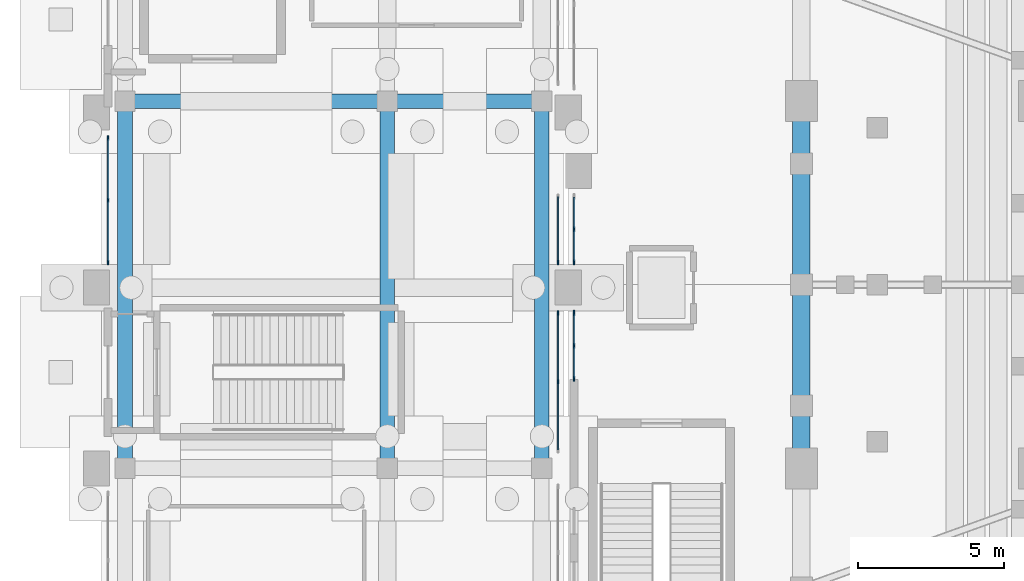
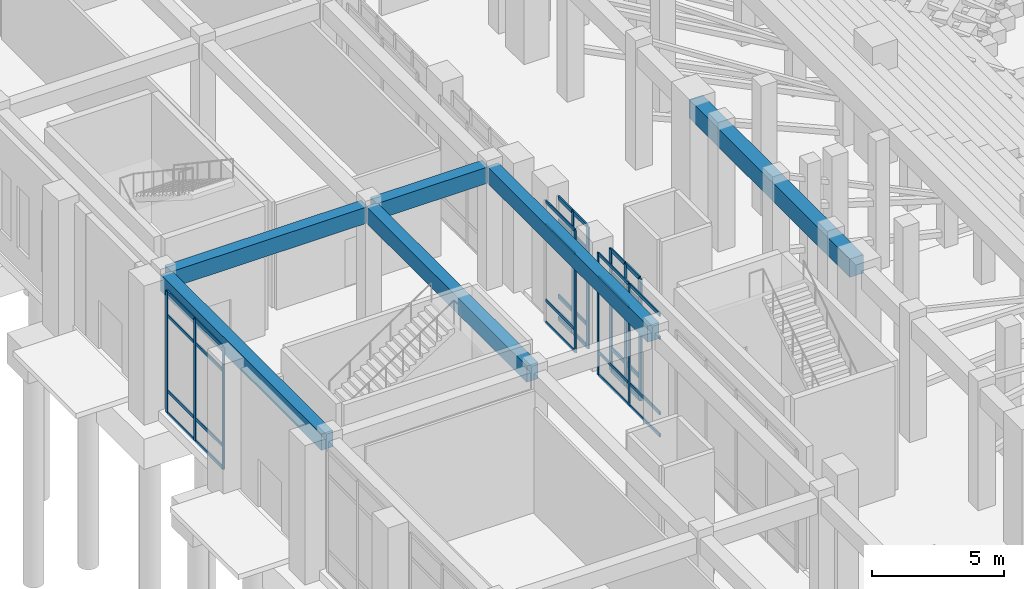
# One storey, part 40 of 143: 47 members, 6 beams, 5 elements without a shape of their own.
"""IFC4 building model written with IfcOpenShell, lengths in metres."""

from ifc_helpers import new_model, si_unit, derived_unit, direction, frame, origin, origin_2d, place, context, subcontext, project, spatial, rectangle, extrude, material, layer, layer_set, material_profile, profile_set, type_object, element, aggregate, save


model = new_model("IFC4")

# Units and contexts
model_context = context("Model", 3, precision=1e-05, world=origin(), true_north=direction((0.0, 1.0)))
body_context = subcontext(model_context, "Body", "Model", "MODEL_VIEW")
ifc_project = project(units=[si_unit("LENGTHUNIT", "METRE"), si_unit("AREAUNIT", "SQUARE_METRE"), si_unit("VOLUMEUNIT", "CUBIC_METRE"), si_unit("PLANEANGLEUNIT", "RADIAN"), si_unit("MASSUNIT", "GRAM", prefix="KILO"), derived_unit("THERMALTRANSMITTANCEUNIT", [(si_unit("MASSUNIT", "GRAM", prefix="KILO"), 1), (si_unit("TIMEUNIT", "SECOND"), -3), (si_unit("THERMODYNAMICTEMPERATUREUNIT", "KELVIN"), -1)])], contexts=[model_context])

# Site, building, storey
site_placement = place(None, origin())
site = spatial("IfcSite", under=ifc_project, at=site_placement, CompositionType="ELEMENT")
building_placement = place(site_placement, origin())
building = spatial("IfcBuilding", under=site, at=building_placement, Name="Valcora Ridge Arena", CompositionType="ELEMENT")
storey_placement = place(building_placement, origin())
storey = spatial("IfcBuildingStorey", under=building, at=storey_placement, Name="L00", CompositionType="ELEMENT", Elevation=0.0)

# Beams
ifc_material_1 = material(Name="Concrete C40/50", Category="concrete")
ifc_material_profile_1 = material_profile(ifc_material_1, rectangle(XDim=0.5, YDim=0.75, at=origin_2d()), Name="RC 500x750")
ifc_profile_set_1 = profile_set([ifc_material_profile_1], Name="Concrete C40/50")
beam_type_1 = type_object("IfcBeamType", Name="TY-BEAM-B-RC500-X", PredefinedType="BEAM", material=ifc_profile_set_1)
beam_1_placement = place(storey_placement, frame((1.0, 70.39990234375, 5.264892578125), z_axis=(1.0, 0.0, 0.0), x_axis=(0.0, 1.0, 0.0)))
element("IfcBeam", 1, at=beam_1_placement, inside=storey, type_object=beam_type_1, Name="B-RC500-X BEM-B-RC500-X-0023", PredefinedType="BEAM", context=body_context, shape_type="SweptSolid", body=[
    extrude(rectangle(XDim=0.5, YDim=0.75, at=origin_2d()), origin(), (0.0, 0.0, 1.0), 8.60009765625),
])
beam_2_placement = place(storey_placement, frame((10.0, 70.39990234375, 5.264892578125), z_axis=(1.0, 0.0, 0.0), x_axis=(0.0, 1.0, 0.0)))
element("IfcBeam", 2, at=beam_2_placement, inside=storey, type_object=beam_type_1, Name="B-RC500-X BEM-B-RC500-X-0024", PredefinedType="BEAM", context=body_context, shape_type="SweptSolid", body=[
    extrude(rectangle(XDim=0.5, YDim=0.75, at=origin_2d()), origin(), (0.0, 0.0, 1.0), 4.89990234375),
])
ifc_material_profile_2 = material_profile(ifc_material_1, rectangle(XDim=0.5, YDim=0.75, at=origin_2d()), Name="RC 500x750")
ifc_profile_set_2 = profile_set([ifc_material_profile_2], Name="Concrete C40/50")
beam_type_2 = type_object("IfcBeamType", Name="TY-BEAM-B-RC500-Y", PredefinedType="BEAM", material=ifc_profile_set_2)
for number, where, z_axis, x_axis, name in (
    (3, (0.800048828125, 58.0, 5.264892578125), (0.0, 1.0, 0.0), (-1.0, 0.0, 0.0), "B-RC500-Y BEM-B-RC500-Y-0006"),
    (4, (9.800048828125, 58.0, 5.264892578125), (0.0, 1.0, 0.0), (-1.0, 0.0, 0.0), "B-RC500-Y BEM-B-RC500-Y-0014"),
    (5, (15.10009765625, 58.0, 5.264892578125), (0.0, 1.0, 0.0), (-1.0, 0.0, 0.0), "B-RC500-Y BEM-B-RC500-Y-0021"),
):
    element("IfcBeam", number, at=place(storey_placement, frame(where, z_axis=z_axis, x_axis=x_axis)), inside=storey, type_object=beam_type_2, Name=name, PredefinedType="BEAM", context=body_context, shape_type="SweptSolid", body=[
        extrude(rectangle(XDim=0.5, YDim=0.75, at=origin_2d()), origin(), (0.0, 0.0, 1.0), 12.199951171875),
    ])
ifc_material_profile_3 = material_profile(ifc_material_1, rectangle(XDim=0.60009765625, YDim=0.85009765625, at=origin_2d()), Name="RC 600x850")
ifc_profile_set_3 = profile_set([ifc_material_profile_3], Name="Concrete C40/50")
beam_type_3 = type_object("IfcBeamType", Name="TY-BEAM-B-RC600-Y", PredefinedType="BEAM", material=ifc_profile_set_3)
beam_3_placement = place(storey_placement, frame((24.0, 58.0, 5.215087890625), z_axis=(0.0, 1.0, 0.0), x_axis=(-1.0, 0.0, 0.0)))
element("IfcBeam", 6, at=beam_3_placement, inside=storey, type_object=beam_type_3, Name="B-RC600-Y BEM-B-RC600-Y-0003", PredefinedType="BEAM", context=body_context, shape_type="SweptSolid", body=[
    extrude(rectangle(XDim=0.60009765625, YDim=0.85009765625, at=origin_2d()), origin(), (0.0, 0.0, 1.0), 12.199951171875),
])

# Curtain wall, members
ifc_material_2 = material(Name="Anodised dark bronze architectural aluminium 6063-T6", Category="aluminium")
ifc_layer_1 = layer(ifc_material_2, 0.14990234375, Name="Anodised dark bronze architectural aluminium 6063-T6")
ifc_layer_set_1 = layer_set([ifc_layer_1], Name="Anodised dark bronze architectural aluminium 6063-T6")
curtain_wall_type_1 = type_object("IfcCurtainWallType", Name="TY-CURTAINWALL-CW-V4-CLUB-043X56", PredefinedType="NOTDEFINED", material=ifc_layer_set_1)
curtain_wall_1_placement = place(storey_placement, origin())
curtain_wall_1 = element("IfcCurtainWall", 7, at=curtain_wall_1_placement, inside=storey, type_object=curtain_wall_type_1, Name="CW-V4-CLUB-043X56 CW-0196", PredefinedType="NOTDEFINED")
ifc_material_profile_4 = material_profile(ifc_material_2, rectangle(XDim=0.050048828125, YDim=0.14990234375, at=origin_2d()), Name="ALU MULLION 50x150")
ifc_profile_set_4 = profile_set([ifc_material_profile_4], Name="Anodised dark bronze architectural aluminium 6063-T6")
member_type_1 = type_object("IfcMemberType", Name="TY-MEM-CWM-50x150", PredefinedType="MULLION", material=ifc_profile_set_4)
member_1_placement = place(storey_placement, frame((0.219970703125, 64.864990234375, 0.0), z_axis=(0.0, 0.0, 1.0), x_axis=(-1.0, 0.0, 0.0)))
member_1 = element("IfcMember", 8, at=member_1_placement, type_object=member_type_1, Name="CW-0196/CWM-50x150/M00", PredefinedType="MULLION", context=body_context, shape_type="SweptSolid", body=[
    extrude(rectangle(XDim=0.050048828125, YDim=0.14990234375, at=origin_2d()), origin(), (0.0, 0.0, 1.0), 5.639892578125),
])
member_2_placement = place(storey_placement, frame((0.219970703125, 67.0, 0.0), z_axis=(0.0, 0.0, 1.0), x_axis=(-1.0, 0.0, 0.0)))
member_2 = element("IfcMember", 9, at=member_2_placement, type_object=member_type_1, Name="CW-0196/CWM-50x150/M01", PredefinedType="MULLION", context=body_context, shape_type="SweptSolid", body=[
    extrude(rectangle(XDim=0.050048828125, YDim=0.14990234375, at=origin_2d()), origin(), (0.0, 0.0, 1.0), 5.639892578125),
])
member_3_placement = place(storey_placement, frame((0.219970703125, 69.135009765625, 0.0), z_axis=(0.0, 0.0, 1.0), x_axis=(-1.0, 0.0, 0.0)))
member_3 = element("IfcMember", 10, at=member_3_placement, type_object=member_type_1, Name="CW-0196/CWM-50x150/M02", PredefinedType="MULLION", context=body_context, shape_type="SweptSolid", body=[
    extrude(rectangle(XDim=0.050048828125, YDim=0.14990234375, at=origin_2d()), origin(), (0.0, 0.0, 1.0), 5.639892578125),
])

ifc_layer_2 = layer(ifc_material_2, 0.14990234375, Name="Anodised dark bronze architectural aluminium 6063-T6")
ifc_layer_set_2 = layer_set([ifc_layer_2], Name="Anodised dark bronze architectural aluminium 6063-T6")
curtain_wall_type_2 = type_object("IfcCurtainWallType", Name="TY-CURTAINWALL-CW-V4-CLUB-048X56", PredefinedType="NOTDEFINED", material=ifc_layer_set_2)
curtain_wall_2_placement = place(storey_placement, origin())
curtain_wall_2 = element("IfcCurtainWall", 11, at=curtain_wall_2_placement, inside=storey, type_object=curtain_wall_type_2, Name="CW-V4-CLUB-048X56 CW-0198", PredefinedType="NOTDEFINED")
member_4_placement = place(storey_placement, frame((15.64990234375, 60.77490234375, 0.0), z_axis=(0.0, 0.0, 1.0), x_axis=(-1.0, 0.0, 0.0)))
member_4 = element("IfcMember", 12, at=member_4_placement, type_object=member_type_1, Name="CW-0198/CWM-50x150/M01", PredefinedType="MULLION", context=body_context, shape_type="SweptSolid", body=[
    extrude(rectangle(XDim=0.050048828125, YDim=0.14990234375, at=origin_2d()), origin(), (0.0, 0.0, 1.0), 5.639892578125),
])
member_5_placement = place(storey_placement, frame((15.64990234375, 63.135009765625, 0.0), z_axis=(0.0, 0.0, 1.0), x_axis=(-1.0, 0.0, 0.0)))
member_5 = element("IfcMember", 13, at=member_5_placement, type_object=member_type_1, Name="CW-0198/CWM-50x150/M02", PredefinedType="MULLION", context=body_context, shape_type="SweptSolid", body=[
    extrude(rectangle(XDim=0.050048828125, YDim=0.14990234375, at=origin_2d()), origin(), (0.0, 0.0, 1.0), 5.639892578125),
])

# Curtain wall, member
ifc_layer_3 = layer(ifc_material_2, 0.14990234375, Name="Anodised dark bronze architectural aluminium 6063-T6")
ifc_layer_set_3 = layer_set([ifc_layer_3], Name="Anodised dark bronze architectural aluminium 6063-T6")
curtain_wall_type_3 = type_object("IfcCurtainWallType", Name="TY-CURTAINWALL-CW-V4-CLUB-023X56", PredefinedType="NOTDEFINED", material=ifc_layer_set_3)
curtain_wall_3_placement = place(storey_placement, origin())
curtain_wall_3 = element("IfcCurtainWall", 14, at=curtain_wall_3_placement, inside=storey, type_object=curtain_wall_type_3, Name="CW-V4-CLUB-023X56 CW-0199", PredefinedType="NOTDEFINED")
member_6_placement = place(storey_placement, frame((15.64990234375, 64.864990234375, 0.0), z_axis=(0.0, 0.0, 1.0), x_axis=(-1.0, 0.0, 0.0)))
member_6 = element("IfcMember", 15, at=member_6_placement, type_object=member_type_1, Name="CW-0199/CWM-50x150/M00", PredefinedType="MULLION", context=body_context, shape_type="SweptSolid", body=[
    extrude(rectangle(XDim=0.050048828125, YDim=0.14990234375, at=origin_2d()), origin(), (0.0, 0.0, 1.0), 5.639892578125),
])

# Curtain wall, members
ifc_layer_4 = layer(ifc_material_2, 0.179931640625, Name="Anodised dark bronze architectural aluminium 6063-T6")
ifc_layer_set_4 = layer_set([ifc_layer_4], Name="Anodised dark bronze architectural aluminium 6063-T6")
curtain_wall_type_4 = type_object("IfcCurtainWallType", Name="TY-CURTAINWALL-CW-V1-GOTH-023X56", PredefinedType="NOTDEFINED", material=ifc_layer_set_4)
curtain_wall_4_placement = place(storey_placement, origin())
curtain_wall_4 = element("IfcCurtainWall", 16, at=curtain_wall_4_placement, inside=storey, type_object=curtain_wall_type_4, Name="CW-V1-GOTH-023X56 CW-0082", PredefinedType="NOTDEFINED")
ifc_material_profile_5 = material_profile(ifc_material_2, rectangle(XDim=0.06005859375, YDim=0.179931640625, at=origin_2d()), Name="ALU MULLION 60x180")
ifc_profile_set_5 = profile_set([ifc_material_profile_5], Name="Anodised dark bronze architectural aluminium 6063-T6")
member_type_2 = type_object("IfcMemberType", Name="TY-MEM-CWM-60x180", PredefinedType="MULLION", material=ifc_profile_set_5)
member_7_placement = place(storey_placement, frame((16.199951171875, 60.8798828125, 0.0), z_axis=(0.0, 0.0, 1.0), x_axis=(-1.0, 0.0, 0.0)))
member_7 = element("IfcMember", 17, at=member_7_placement, type_object=member_type_2, Name="CW-0082/CWM-60x180/M00", PredefinedType="MULLION", context=body_context, shape_type="SweptSolid", body=[
    extrude(rectangle(XDim=0.06005859375, YDim=0.179931640625, at=origin_2d()), origin(), (0.0, 0.0, 1.0), 5.639892578125),
])
member_8_placement = place(storey_placement, frame((16.199951171875, 62.0048828125, 0.0), z_axis=(0.0, 0.0, 1.0), x_axis=(-1.0, 0.0, 0.0)))
member_8 = element("IfcMember", 18, at=member_8_placement, type_object=member_type_2, Name="CW-0082/CWM-60x180/M01", PredefinedType="MULLION", context=body_context, shape_type="SweptSolid", body=[
    extrude(rectangle(XDim=0.06005859375, YDim=0.179931640625, at=origin_2d()), origin(), (0.0, 0.0, 1.0), 5.639892578125),
])
member_9_placement = place(storey_placement, frame((16.199951171875, 63.1298828125, 0.0), z_axis=(0.0, 0.0, 1.0), x_axis=(-1.0, 0.0, 0.0)))
member_9 = element("IfcMember", 19, at=member_9_placement, type_object=member_type_2, Name="CW-0082/CWM-60x180/M02", PredefinedType="MULLION", context=body_context, shape_type="SweptSolid", body=[
    extrude(rectangle(XDim=0.06005859375, YDim=0.179931640625, at=origin_2d()), origin(), (0.0, 0.0, 1.0), 5.639892578125),
])

curtain_wall_5_placement = place(storey_placement, origin())
curtain_wall_5 = element("IfcCurtainWall", 20, at=curtain_wall_5_placement, inside=storey, type_object=curtain_wall_type_4, Name="CW-V1-GOTH-023X56 CW-0083", PredefinedType="NOTDEFINED")
member_10_placement = place(storey_placement, frame((16.199951171875, 64.8701171875, 0.0), z_axis=(0.0, 0.0, 1.0), x_axis=(-1.0, 0.0, 0.0)))
member_10 = element("IfcMember", 21, at=member_10_placement, type_object=member_type_2, Name="CW-0083/CWM-60x180/M00", PredefinedType="MULLION", context=body_context, shape_type="SweptSolid", body=[
    extrude(rectangle(XDim=0.06005859375, YDim=0.179931640625, at=origin_2d()), origin(), (0.0, 0.0, 1.0), 5.639892578125),
])
member_11_placement = place(storey_placement, frame((16.199951171875, 66.0, 0.0), z_axis=(0.0, 0.0, 1.0), x_axis=(-1.0, 0.0, 0.0)))
member_11 = element("IfcMember", 22, at=member_11_placement, type_object=member_type_2, Name="CW-0083/CWM-60x180/M01", PredefinedType="MULLION", context=body_context, shape_type="SweptSolid", body=[
    extrude(rectangle(XDim=0.06005859375, YDim=0.179931640625, at=origin_2d()), origin(), (0.0, 0.0, 1.0), 5.639892578125),
])

# Member
ifc_material_profile_6 = material_profile(ifc_material_2, rectangle(XDim=0.050048828125, YDim=0.14990234375, at=origin_2d()), Name="ALU TRANSOM 50x150")
ifc_profile_set_6 = profile_set([ifc_material_profile_6], Name="Anodised dark bronze architectural aluminium 6063-T6")
member_type_3 = type_object("IfcMemberType", Name="TY-MEM-CWT-50x150", PredefinedType="USERDEFINED", material=ifc_profile_set_6)
member_12_placement = place(storey_placement, frame((0.219970703125, 64.889892578125, 0.02490234375), z_axis=(0.0, 1.0, 0.0), x_axis=(-1.0, 0.0, 0.0)))
member_12 = element("IfcMember", 23, at=member_12_placement, type_object=member_type_3, Name="CW-0196/CWT-50x150/T00-00", ObjectType="TRANSOM", PredefinedType="USERDEFINED", context=body_context, shape_type="SweptSolid", body=[
    extrude(rectangle(XDim=0.050048828125, YDim=0.14990234375, at=origin_2d()), origin(), (0.0, 0.0, 1.0), 2.085205078125),
])

member_13_placement = place(storey_placement, frame((0.219970703125, 64.889892578125, 1.050048828125), z_axis=(0.0, 1.0, 0.0), x_axis=(-1.0, 0.0, 0.0)))
member_13 = element("IfcMember", 24, at=member_13_placement, type_object=member_type_3, Name="CW-0196/CWT-50x150/T00-01", ObjectType="TRANSOM", PredefinedType="USERDEFINED", context=body_context, shape_type="SweptSolid", body=[
    extrude(rectangle(XDim=0.050048828125, YDim=0.14990234375, at=origin_2d()), origin(), (0.0, 0.0, 1.0), 2.085205078125),
])

member_14_placement = place(storey_placement, frame((0.219970703125, 64.889892578125, 4.5400390625), z_axis=(0.0, 1.0, 0.0), x_axis=(-1.0, 0.0, 0.0)))
member_14 = element("IfcMember", 25, at=member_14_placement, type_object=member_type_3, Name="CW-0196/CWT-50x150/T00-02", ObjectType="TRANSOM", PredefinedType="USERDEFINED", context=body_context, shape_type="SweptSolid", body=[
    extrude(rectangle(XDim=0.050048828125, YDim=0.14990234375, at=origin_2d()), origin(), (0.0, 0.0, 1.0), 2.085205078125),
])

member_15_placement = place(storey_placement, frame((0.219970703125, 64.889892578125, 5.614990234375), z_axis=(0.0, 1.0, 0.0), x_axis=(-1.0, 0.0, 0.0)))
member_15 = element("IfcMember", 26, at=member_15_placement, type_object=member_type_3, Name="CW-0196/CWT-50x150/T00-03", ObjectType="TRANSOM", PredefinedType="USERDEFINED", context=body_context, shape_type="SweptSolid", body=[
    extrude(rectangle(XDim=0.050048828125, YDim=0.14990234375, at=origin_2d()), origin(), (0.0, 0.0, 1.0), 2.085205078125),
])

member_16_placement = place(storey_placement, frame((0.219970703125, 67.02490234375, 0.02490234375), z_axis=(0.0, 1.0, 0.0), x_axis=(-1.0, 0.0, 0.0)))
member_16 = element("IfcMember", 27, at=member_16_placement, type_object=member_type_3, Name="CW-0196/CWT-50x150/T01-00", ObjectType="TRANSOM", PredefinedType="USERDEFINED", context=body_context, shape_type="SweptSolid", body=[
    extrude(rectangle(XDim=0.050048828125, YDim=0.14990234375, at=origin_2d()), origin(), (0.0, 0.0, 1.0), 2.085205078125),
])

member_17_placement = place(storey_placement, frame((0.219970703125, 67.02490234375, 1.050048828125), z_axis=(0.0, 1.0, 0.0), x_axis=(-1.0, 0.0, 0.0)))
member_17 = element("IfcMember", 28, at=member_17_placement, type_object=member_type_3, Name="CW-0196/CWT-50x150/T01-01", ObjectType="TRANSOM", PredefinedType="USERDEFINED", context=body_context, shape_type="SweptSolid", body=[
    extrude(rectangle(XDim=0.050048828125, YDim=0.14990234375, at=origin_2d()), origin(), (0.0, 0.0, 1.0), 2.085205078125),
])

member_18_placement = place(storey_placement, frame((0.219970703125, 67.02490234375, 4.5400390625), z_axis=(0.0, 1.0, 0.0), x_axis=(-1.0, 0.0, 0.0)))
member_18 = element("IfcMember", 29, at=member_18_placement, type_object=member_type_3, Name="CW-0196/CWT-50x150/T01-02", ObjectType="TRANSOM", PredefinedType="USERDEFINED", context=body_context, shape_type="SweptSolid", body=[
    extrude(rectangle(XDim=0.050048828125, YDim=0.14990234375, at=origin_2d()), origin(), (0.0, 0.0, 1.0), 2.085205078125),
])

member_19_placement = place(storey_placement, frame((0.219970703125, 67.02490234375, 5.614990234375), z_axis=(0.0, 1.0, 0.0), x_axis=(-1.0, 0.0, 0.0)))
member_19 = element("IfcMember", 30, at=member_19_placement, type_object=member_type_3, Name="CW-0196/CWT-50x150/T01-03", ObjectType="TRANSOM", PredefinedType="USERDEFINED", context=body_context, shape_type="SweptSolid", body=[
    extrude(rectangle(XDim=0.050048828125, YDim=0.14990234375, at=origin_2d()), origin(), (0.0, 0.0, 1.0), 2.085205078125),
])

aggregate(curtain_wall_1, [member_1, member_2, member_3, member_12, member_13, member_14, member_15, member_16, member_17, member_18, member_19])

member_20_placement = place(storey_placement, frame((15.64990234375, 58.43994140625, 0.02490234375), z_axis=(0.0, 1.0, 0.0), x_axis=(-1.0, 0.0, 0.0)))
member_20 = element("IfcMember", 31, at=member_20_placement, type_object=member_type_3, Name="CW-0198/CWT-50x150/T00-00", ObjectType="TRANSOM", PredefinedType="USERDEFINED", context=body_context, shape_type="SweptSolid", body=[
    extrude(rectangle(XDim=0.050048828125, YDim=0.14990234375, at=origin_2d()), origin(), (0.0, 0.0, 1.0), 2.31005859375),
])

member_21_placement = place(storey_placement, frame((15.64990234375, 58.43994140625, 1.050048828125), z_axis=(0.0, 1.0, 0.0), x_axis=(-1.0, 0.0, 0.0)))
member_21 = element("IfcMember", 32, at=member_21_placement, type_object=member_type_3, Name="CW-0198/CWT-50x150/T00-01", ObjectType="TRANSOM", PredefinedType="USERDEFINED", context=body_context, shape_type="SweptSolid", body=[
    extrude(rectangle(XDim=0.050048828125, YDim=0.14990234375, at=origin_2d()), origin(), (0.0, 0.0, 1.0), 2.31005859375),
])

member_22_placement = place(storey_placement, frame((15.64990234375, 58.43994140625, 4.5400390625), z_axis=(0.0, 1.0, 0.0), x_axis=(-1.0, 0.0, 0.0)))
member_22 = element("IfcMember", 33, at=member_22_placement, type_object=member_type_3, Name="CW-0198/CWT-50x150/T00-02", ObjectType="TRANSOM", PredefinedType="USERDEFINED", context=body_context, shape_type="SweptSolid", body=[
    extrude(rectangle(XDim=0.050048828125, YDim=0.14990234375, at=origin_2d()), origin(), (0.0, 0.0, 1.0), 2.31005859375),
])

member_23_placement = place(storey_placement, frame((15.64990234375, 58.43994140625, 5.614990234375), z_axis=(0.0, 1.0, 0.0), x_axis=(-1.0, 0.0, 0.0)))
member_23 = element("IfcMember", 34, at=member_23_placement, type_object=member_type_3, Name="CW-0198/CWT-50x150/T00-03", ObjectType="TRANSOM", PredefinedType="USERDEFINED", context=body_context, shape_type="SweptSolid", body=[
    extrude(rectangle(XDim=0.050048828125, YDim=0.14990234375, at=origin_2d()), origin(), (0.0, 0.0, 1.0), 2.31005859375),
])

member_24_placement = place(storey_placement, frame((15.64990234375, 60.800048828125, 0.02490234375), z_axis=(0.0, 1.0, 0.0), x_axis=(-1.0, 0.0, 0.0)))
member_24 = element("IfcMember", 35, at=member_24_placement, type_object=member_type_3, Name="CW-0198/CWT-50x150/T01-00", ObjectType="TRANSOM", PredefinedType="USERDEFINED", context=body_context, shape_type="SweptSolid", body=[
    extrude(rectangle(XDim=0.050048828125, YDim=0.14990234375, at=origin_2d()), origin(), (0.0, 0.0, 1.0), 2.31005859375),
])

member_25_placement = place(storey_placement, frame((15.64990234375, 60.800048828125, 1.050048828125), z_axis=(0.0, 1.0, 0.0), x_axis=(-1.0, 0.0, 0.0)))
member_25 = element("IfcMember", 36, at=member_25_placement, type_object=member_type_3, Name="CW-0198/CWT-50x150/T01-01", ObjectType="TRANSOM", PredefinedType="USERDEFINED", context=body_context, shape_type="SweptSolid", body=[
    extrude(rectangle(XDim=0.050048828125, YDim=0.14990234375, at=origin_2d()), origin(), (0.0, 0.0, 1.0), 2.31005859375),
])

member_26_placement = place(storey_placement, frame((15.64990234375, 60.800048828125, 4.5400390625), z_axis=(0.0, 1.0, 0.0), x_axis=(-1.0, 0.0, 0.0)))
member_26 = element("IfcMember", 37, at=member_26_placement, type_object=member_type_3, Name="CW-0198/CWT-50x150/T01-02", ObjectType="TRANSOM", PredefinedType="USERDEFINED", context=body_context, shape_type="SweptSolid", body=[
    extrude(rectangle(XDim=0.050048828125, YDim=0.14990234375, at=origin_2d()), origin(), (0.0, 0.0, 1.0), 2.31005859375),
])

member_27_placement = place(storey_placement, frame((15.64990234375, 60.800048828125, 5.614990234375), z_axis=(0.0, 1.0, 0.0), x_axis=(-1.0, 0.0, 0.0)))
member_27 = element("IfcMember", 38, at=member_27_placement, type_object=member_type_3, Name="CW-0198/CWT-50x150/T01-03", ObjectType="TRANSOM", PredefinedType="USERDEFINED", context=body_context, shape_type="SweptSolid", body=[
    extrude(rectangle(XDim=0.050048828125, YDim=0.14990234375, at=origin_2d()), origin(), (0.0, 0.0, 1.0), 2.31005859375),
])

aggregate(curtain_wall_2, [member_4, member_5, member_20, member_21, member_22, member_23, member_24, member_25, member_26, member_27])

member_28_placement = place(storey_placement, frame((15.64990234375, 64.889892578125, 0.02490234375), z_axis=(0.0, 1.0, 0.0), x_axis=(-1.0, 0.0, 0.0)))
member_28 = element("IfcMember", 39, at=member_28_placement, type_object=member_type_3, Name="CW-0199/CWT-50x150/T00-00", ObjectType="TRANSOM", PredefinedType="USERDEFINED", context=body_context, shape_type="SweptSolid", body=[
    extrude(rectangle(XDim=0.050048828125, YDim=0.14990234375, at=origin_2d()), origin(), (0.0, 0.0, 1.0), 2.22021484375),
])

member_29_placement = place(storey_placement, frame((15.64990234375, 64.889892578125, 1.050048828125), z_axis=(0.0, 1.0, 0.0), x_axis=(-1.0, 0.0, 0.0)))
member_29 = element("IfcMember", 40, at=member_29_placement, type_object=member_type_3, Name="CW-0199/CWT-50x150/T00-01", ObjectType="TRANSOM", PredefinedType="USERDEFINED", context=body_context, shape_type="SweptSolid", body=[
    extrude(rectangle(XDim=0.050048828125, YDim=0.14990234375, at=origin_2d()), origin(), (0.0, 0.0, 1.0), 2.22021484375),
])

member_30_placement = place(storey_placement, frame((15.64990234375, 64.889892578125, 4.5400390625), z_axis=(0.0, 1.0, 0.0), x_axis=(-1.0, 0.0, 0.0)))
member_30 = element("IfcMember", 41, at=member_30_placement, type_object=member_type_3, Name="CW-0199/CWT-50x150/T00-02", ObjectType="TRANSOM", PredefinedType="USERDEFINED", context=body_context, shape_type="SweptSolid", body=[
    extrude(rectangle(XDim=0.050048828125, YDim=0.14990234375, at=origin_2d()), origin(), (0.0, 0.0, 1.0), 2.22021484375),
])

member_31_placement = place(storey_placement, frame((15.64990234375, 64.889892578125, 5.614990234375), z_axis=(0.0, 1.0, 0.0), x_axis=(-1.0, 0.0, 0.0)))
member_31 = element("IfcMember", 42, at=member_31_placement, type_object=member_type_3, Name="CW-0199/CWT-50x150/T00-03", ObjectType="TRANSOM", PredefinedType="USERDEFINED", context=body_context, shape_type="SweptSolid", body=[
    extrude(rectangle(XDim=0.050048828125, YDim=0.14990234375, at=origin_2d()), origin(), (0.0, 0.0, 1.0), 2.22021484375),
])

aggregate(curtain_wall_3, [member_6, member_28, member_29, member_30, member_31])

ifc_material_profile_7 = material_profile(ifc_material_2, rectangle(XDim=0.06005859375, YDim=0.179931640625, at=origin_2d()), Name="ALU TRANSOM 60x180")
ifc_profile_set_7 = profile_set([ifc_material_profile_7], Name="Anodised dark bronze architectural aluminium 6063-T6")
member_type_4 = type_object("IfcMemberType", Name="TY-MEM-CWT-60x180", PredefinedType="USERDEFINED", material=ifc_profile_set_7)
member_32_placement = place(storey_placement, frame((16.199951171875, 60.909912109375, 0.030029296875), z_axis=(0.0, 1.0, 0.0), x_axis=(-1.0, 0.0, 0.0)))
member_32 = element("IfcMember", 43, at=member_32_placement, type_object=member_type_4, Name="CW-0082/CWT-60x180/T00-00", ObjectType="TRANSOM", PredefinedType="USERDEFINED", context=body_context, shape_type="SweptSolid", body=[
    extrude(rectangle(XDim=0.06005859375, YDim=0.179931640625, at=origin_2d()), origin(), (0.0, 0.0, 1.0), 1.065185546875),
])

member_33_placement = place(storey_placement, frame((16.199951171875, 60.909912109375, 1.050048828125), z_axis=(0.0, 1.0, 0.0), x_axis=(-1.0, 0.0, 0.0)))
member_33 = element("IfcMember", 44, at=member_33_placement, type_object=member_type_4, Name="CW-0082/CWT-60x180/T00-01", ObjectType="TRANSOM", PredefinedType="USERDEFINED", context=body_context, shape_type="SweptSolid", body=[
    extrude(rectangle(XDim=0.06005859375, YDim=0.179931640625, at=origin_2d()), origin(), (0.0, 0.0, 1.0), 1.065185546875),
])

member_34_placement = place(storey_placement, frame((16.199951171875, 60.909912109375, 4.5400390625), z_axis=(0.0, 1.0, 0.0), x_axis=(-1.0, 0.0, 0.0)))
member_34 = element("IfcMember", 45, at=member_34_placement, type_object=member_type_4, Name="CW-0082/CWT-60x180/T00-02", ObjectType="TRANSOM", PredefinedType="USERDEFINED", context=body_context, shape_type="SweptSolid", body=[
    extrude(rectangle(XDim=0.06005859375, YDim=0.179931640625, at=origin_2d()), origin(), (0.0, 0.0, 1.0), 1.065185546875),
])

member_35_placement = place(storey_placement, frame((16.199951171875, 60.909912109375, 5.610107421875), z_axis=(0.0, 1.0, 0.0), x_axis=(-1.0, 0.0, 0.0)))
member_35 = element("IfcMember", 46, at=member_35_placement, type_object=member_type_4, Name="CW-0082/CWT-60x180/T00-03", ObjectType="TRANSOM", PredefinedType="USERDEFINED", context=body_context, shape_type="SweptSolid", body=[
    extrude(rectangle(XDim=0.06005859375, YDim=0.179931640625, at=origin_2d()), origin(), (0.0, 0.0, 1.0), 1.065185546875),
])

member_36_placement = place(storey_placement, frame((16.199951171875, 62.034912109375, 0.030029296875), z_axis=(0.0, 1.0, 0.0), x_axis=(-1.0, 0.0, 0.0)))
member_36 = element("IfcMember", 47, at=member_36_placement, type_object=member_type_4, Name="CW-0082/CWT-60x180/T01-00", ObjectType="TRANSOM", PredefinedType="USERDEFINED", context=body_context, shape_type="SweptSolid", body=[
    extrude(rectangle(XDim=0.06005859375, YDim=0.179931640625, at=origin_2d()), origin(), (0.0, 0.0, 1.0), 1.065185546875),
])

member_37_placement = place(storey_placement, frame((16.199951171875, 62.034912109375, 1.050048828125), z_axis=(0.0, 1.0, 0.0), x_axis=(-1.0, 0.0, 0.0)))
member_37 = element("IfcMember", 48, at=member_37_placement, type_object=member_type_4, Name="CW-0082/CWT-60x180/T01-01", ObjectType="TRANSOM", PredefinedType="USERDEFINED", context=body_context, shape_type="SweptSolid", body=[
    extrude(rectangle(XDim=0.06005859375, YDim=0.179931640625, at=origin_2d()), origin(), (0.0, 0.0, 1.0), 1.065185546875),
])

member_38_placement = place(storey_placement, frame((16.199951171875, 62.034912109375, 4.5400390625), z_axis=(0.0, 1.0, 0.0), x_axis=(-1.0, 0.0, 0.0)))
member_38 = element("IfcMember", 49, at=member_38_placement, type_object=member_type_4, Name="CW-0082/CWT-60x180/T01-02", ObjectType="TRANSOM", PredefinedType="USERDEFINED", context=body_context, shape_type="SweptSolid", body=[
    extrude(rectangle(XDim=0.06005859375, YDim=0.179931640625, at=origin_2d()), origin(), (0.0, 0.0, 1.0), 1.065185546875),
])

member_39_placement = place(storey_placement, frame((16.199951171875, 62.034912109375, 5.610107421875), z_axis=(0.0, 1.0, 0.0), x_axis=(-1.0, 0.0, 0.0)))
member_39 = element("IfcMember", 50, at=member_39_placement, type_object=member_type_4, Name="CW-0082/CWT-60x180/T01-03", ObjectType="TRANSOM", PredefinedType="USERDEFINED", context=body_context, shape_type="SweptSolid", body=[
    extrude(rectangle(XDim=0.06005859375, YDim=0.179931640625, at=origin_2d()), origin(), (0.0, 0.0, 1.0), 1.065185546875),
])

aggregate(curtain_wall_4, [member_7, member_8, member_9, member_32, member_33, member_34, member_35, member_36, member_37, member_38, member_39])

member_40_placement = place(storey_placement, frame((16.199951171875, 64.89990234375, 0.030029296875), z_axis=(0.0, 1.0, 0.0), x_axis=(-1.0, 0.0, 0.0)))
member_40 = element("IfcMember", 51, at=member_40_placement, type_object=member_type_4, Name="CW-0083/CWT-60x180/T00-00", ObjectType="TRANSOM", PredefinedType="USERDEFINED", context=body_context, shape_type="SweptSolid", body=[
    extrude(rectangle(XDim=0.06005859375, YDim=0.179931640625, at=origin_2d()), origin(), (0.0, 0.0, 1.0), 1.070068359375),
])

member_41_placement = place(storey_placement, frame((16.199951171875, 64.89990234375, 1.050048828125), z_axis=(0.0, 1.0, 0.0), x_axis=(-1.0, 0.0, 0.0)))
member_41 = element("IfcMember", 52, at=member_41_placement, type_object=member_type_4, Name="CW-0083/CWT-60x180/T00-01", ObjectType="TRANSOM", PredefinedType="USERDEFINED", context=body_context, shape_type="SweptSolid", body=[
    extrude(rectangle(XDim=0.06005859375, YDim=0.179931640625, at=origin_2d()), origin(), (0.0, 0.0, 1.0), 1.070068359375),
])

member_42_placement = place(storey_placement, frame((16.199951171875, 64.89990234375, 4.5400390625), z_axis=(0.0, 1.0, 0.0), x_axis=(-1.0, 0.0, 0.0)))
member_42 = element("IfcMember", 53, at=member_42_placement, type_object=member_type_4, Name="CW-0083/CWT-60x180/T00-02", ObjectType="TRANSOM", PredefinedType="USERDEFINED", context=body_context, shape_type="SweptSolid", body=[
    extrude(rectangle(XDim=0.06005859375, YDim=0.179931640625, at=origin_2d()), origin(), (0.0, 0.0, 1.0), 1.070068359375),
])

member_43_placement = place(storey_placement, frame((16.199951171875, 64.89990234375, 5.610107421875), z_axis=(0.0, 1.0, 0.0), x_axis=(-1.0, 0.0, 0.0)))
member_43 = element("IfcMember", 54, at=member_43_placement, type_object=member_type_4, Name="CW-0083/CWT-60x180/T00-03", ObjectType="TRANSOM", PredefinedType="USERDEFINED", context=body_context, shape_type="SweptSolid", body=[
    extrude(rectangle(XDim=0.06005859375, YDim=0.179931640625, at=origin_2d()), origin(), (0.0, 0.0, 1.0), 1.070068359375),
])

member_44_placement = place(storey_placement, frame((16.199951171875, 66.030029296875, 0.030029296875), z_axis=(0.0, 1.0, 0.0), x_axis=(-1.0, 0.0, 0.0)))
member_44 = element("IfcMember", 55, at=member_44_placement, type_object=member_type_4, Name="CW-0083/CWT-60x180/T01-00", ObjectType="TRANSOM", PredefinedType="USERDEFINED", context=body_context, shape_type="SweptSolid", body=[
    extrude(rectangle(XDim=0.06005859375, YDim=0.179931640625, at=origin_2d()), origin(), (0.0, 0.0, 1.0), 1.070068359375),
])

member_45_placement = place(storey_placement, frame((16.199951171875, 66.030029296875, 1.050048828125), z_axis=(0.0, 1.0, 0.0), x_axis=(-1.0, 0.0, 0.0)))
member_45 = element("IfcMember", 56, at=member_45_placement, type_object=member_type_4, Name="CW-0083/CWT-60x180/T01-01", ObjectType="TRANSOM", PredefinedType="USERDEFINED", context=body_context, shape_type="SweptSolid", body=[
    extrude(rectangle(XDim=0.06005859375, YDim=0.179931640625, at=origin_2d()), origin(), (0.0, 0.0, 1.0), 1.070068359375),
])

member_46_placement = place(storey_placement, frame((16.199951171875, 66.030029296875, 4.5400390625), z_axis=(0.0, 1.0, 0.0), x_axis=(-1.0, 0.0, 0.0)))
member_46 = element("IfcMember", 57, at=member_46_placement, type_object=member_type_4, Name="CW-0083/CWT-60x180/T01-02", ObjectType="TRANSOM", PredefinedType="USERDEFINED", context=body_context, shape_type="SweptSolid", body=[
    extrude(rectangle(XDim=0.06005859375, YDim=0.179931640625, at=origin_2d()), origin(), (0.0, 0.0, 1.0), 1.070068359375),
])

member_47_placement = place(storey_placement, frame((16.199951171875, 66.030029296875, 5.610107421875), z_axis=(0.0, 1.0, 0.0), x_axis=(-1.0, 0.0, 0.0)))
member_47 = element("IfcMember", 58, at=member_47_placement, type_object=member_type_4, Name="CW-0083/CWT-60x180/T01-03", ObjectType="TRANSOM", PredefinedType="USERDEFINED", context=body_context, shape_type="SweptSolid", body=[
    extrude(rectangle(XDim=0.06005859375, YDim=0.179931640625, at=origin_2d()), origin(), (0.0, 0.0, 1.0), 1.070068359375),
])

aggregate(curtain_wall_5, [member_10, member_11, member_40, member_41, member_42, member_43, member_44, member_45, member_46, member_47])

save(model, "model.ifc")
